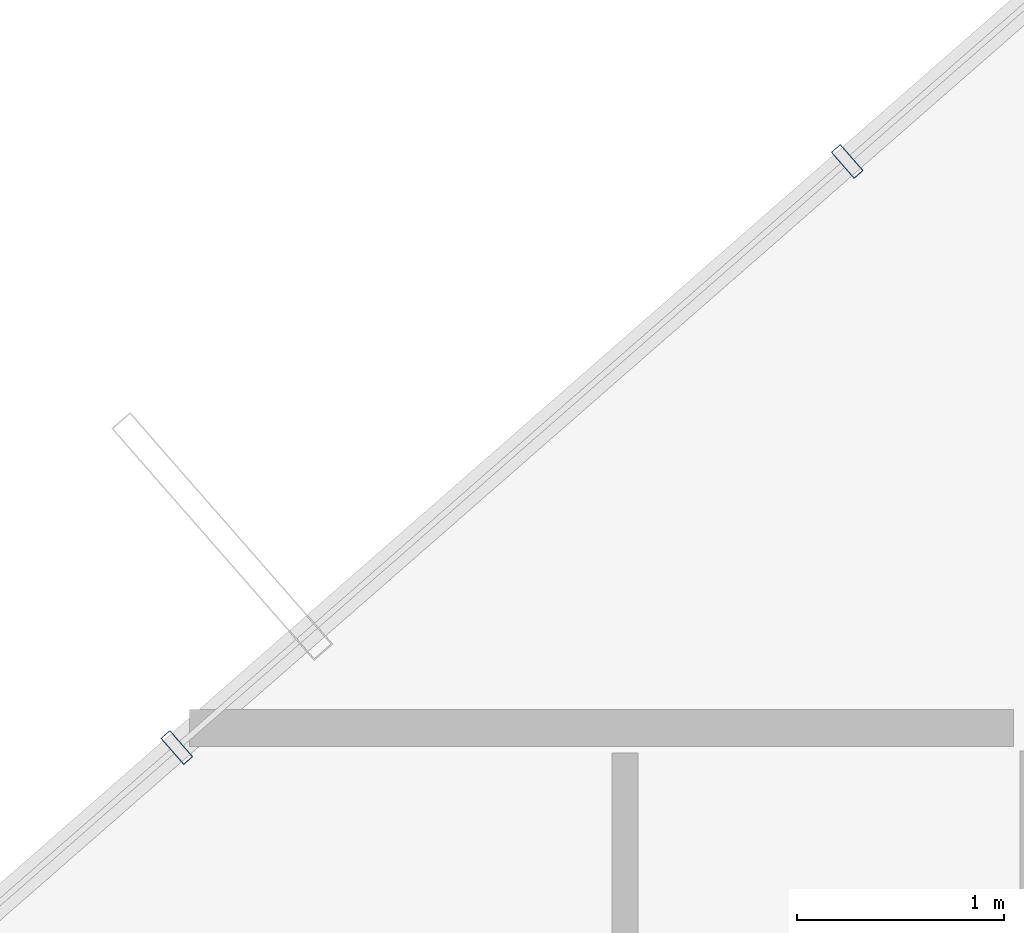
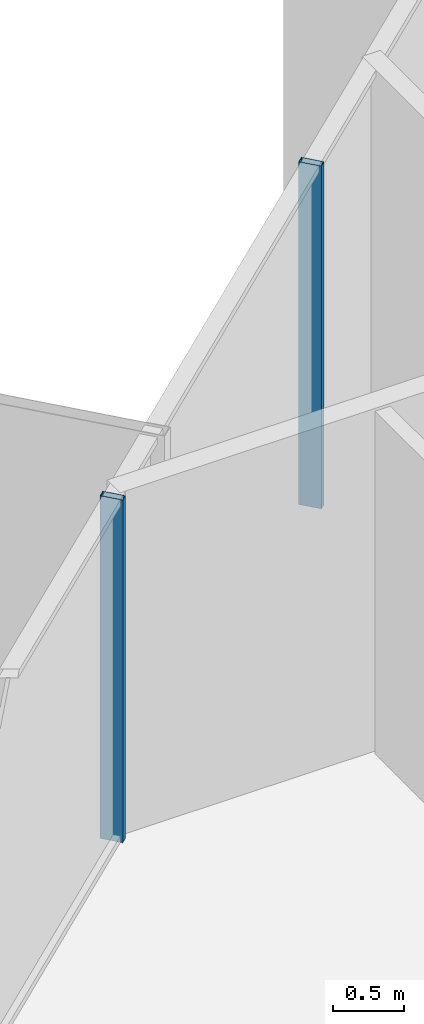
# One storey, part 21 of 36: 2 members, 1 element without a shape of its own.
"""IFC4 building model written with IfcOpenShell, lengths in metres."""

from ifc_helpers import new_model, si_unit, direction, frame, origin, origin_2d, place, context, subcontext, project, spatial, hollow_rectangle, extrude, source, transform, mapped, material, layer, layer_set, material_profile, profile_set, type_object, element, aggregate, save


model = new_model("IFC4")

# Units and contexts
model_context = context("Model", 3, precision=1e-05, world=origin(), true_north=direction((0.0, 1.0)))
body_context = subcontext(model_context, "Body", "Model", "MODEL_VIEW")
ifc_project = project(units=[si_unit("LENGTHUNIT", "METRE"), si_unit("AREAUNIT", "SQUARE_METRE"), si_unit("VOLUMEUNIT", "CUBIC_METRE"), si_unit("PLANEANGLEUNIT", "RADIAN"), si_unit("MASSUNIT", "GRAM", prefix="KILO")], contexts=[model_context])

# Site, building, storey
site_placement = place(None, origin())
site = spatial("IfcSite", under=ifc_project, at=site_placement, CompositionType="ELEMENT")
building_placement = place(site_placement, origin())
building = spatial("IfcBuilding", under=site, at=building_placement, Name="Veraguas Prism Commons", CompositionType="ELEMENT")
storey_placement = place(building_placement, frame((0.0, 0.0, 166.300048828125)))
storey = spatial("IfcBuildingStorey", under=building, at=storey_placement, Name="L47", CompositionType="ELEMENT", Elevation=166.300048828125)

# Curtain wall, members
ifc_material = material(Name="Anodised aluminium EN AW-6063 T6", Category="aluminium")
ifc_layer = layer(ifc_material, 0.169921875, Name="Unitised Flush Curtain Wall Zone 2", Category="aluminium")
ifc_layer_set = layer_set([ifc_layer], Name="Anodised aluminium EN AW-6063 T6")
curtain_wall_type = type_object("IfcCurtainWallType", Name="Unitised Flush Curtain Wall Zone 2", PredefinedType="NOTDEFINED", material=ifc_layer_set)
curtain_wall_placement = place(storey_placement, origin())
curtain_wall = element("IfcCurtainWall", 1, at=curtain_wall_placement, inside=storey, type_object=curtain_wall_type, Name="Tower Facade Curtain Wall L47-F2", PredefinedType="NOTDEFINED")
ifc_material_profile = material_profile(ifc_material, hollow_rectangle(XDim=0.06005859375, YDim=0.169921875, WallThickness=0.00390625, at=origin_2d()), Name="AL60X170X4")
ifc_profile_set = profile_set([ifc_material_profile], Name="Anodised aluminium EN AW-6063 T6")
member_type = type_object("IfcMemberType", Name="Curtain Wall Mullion Lower AL 60x170x4", PredefinedType="MULLION", material=ifc_profile_set)
shared_shape = source(origin(), body_context, "Body", "SweptSolid", [
    extrude(hollow_rectangle(XDim=0.06005859375, YDim=0.169921875, WallThickness=0.00390625, at=origin_2d()), origin(), (0.0, 0.0, 1.0), 2.929931640625),
])
member_1_placement = place(storey_placement, frame((11.374755859375, 38.44189453125, 0.0), z_axis=(0.0, 0.0, 1.0), x_axis=(-0.752872280062, -0.658166642967, 0.0)))
member_1 = element("IfcMember", 2, at=member_1_placement, type_object=member_type, Name="CW-Z2 Mullion 3", PredefinedType="MULLION", context=body_context, shape_type="MappedRepresentation", body=[
    mapped(shared_shape, transform((0.0, 0.0, 0.0), scale=1.0)),
])
member_2_placement = place(storey_placement, frame((8.131103515625, 35.606201171875, 0.0), z_axis=(0.0, 0.0, 1.0), x_axis=(-0.752872280062, -0.658166642967, 0.0)))
member_2 = element("IfcMember", 3, at=member_2_placement, type_object=member_type, Name="CW-Z2 Mullion 4", PredefinedType="MULLION", context=body_context, shape_type="MappedRepresentation", body=[
    mapped(shared_shape, transform((0.0, 0.0, 0.0), scale=1.0)),
])
aggregate(curtain_wall, [member_1, member_2])

save(model, "model.ifc")
